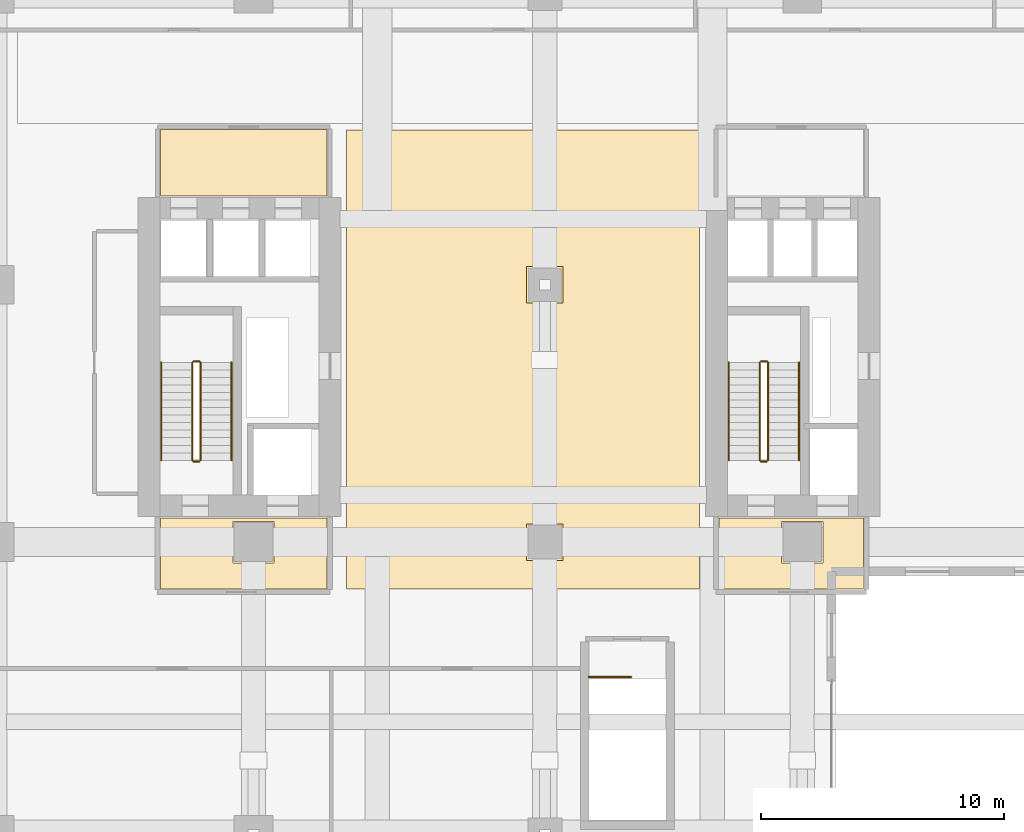
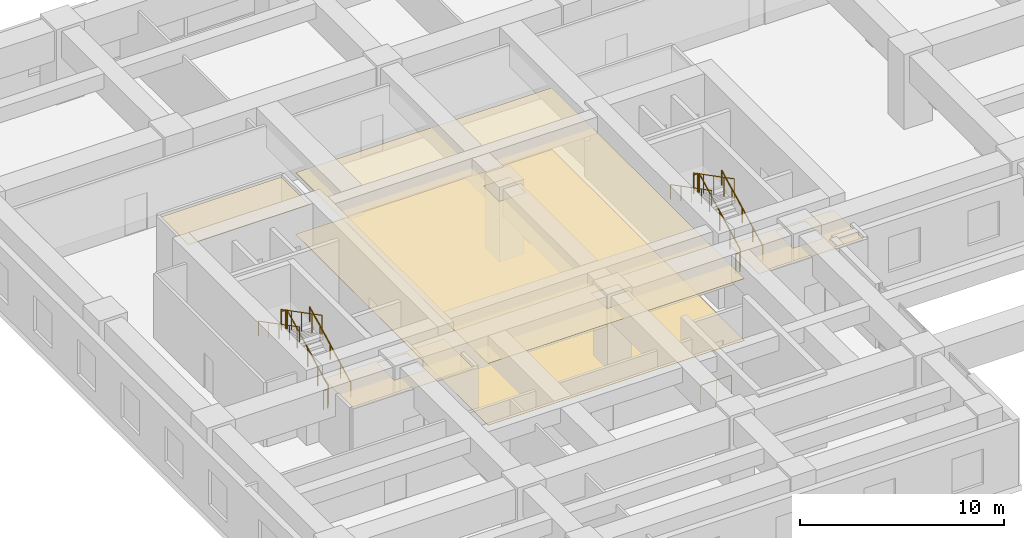
# One storey, part 30 of 33: 13 railings, 5 coverings.
"""IFC4 building model written with IfcOpenShell, lengths in metres."""

from ifc_helpers import new_model, si_unit, direction, frame, origin, origin_2d, place, context, subcontext, project, spatial, polyline, circle, outline, extrude, material, layer, layer_set, type_object, element, save


model = new_model("IFC4")

# Units and contexts
model_context = context("Model", 3, precision=1e-05, world=origin(), true_north=direction((0.0, 1.0)))
body_context = subcontext(model_context, "Body", "Model", "MODEL_VIEW")
ifc_project = project(units=[si_unit("LENGTHUNIT", "METRE"), si_unit("AREAUNIT", "SQUARE_METRE"), si_unit("VOLUMEUNIT", "CUBIC_METRE"), si_unit("PLANEANGLEUNIT", "RADIAN"), si_unit("MASSUNIT", "GRAM", prefix="KILO")], contexts=[model_context])

# Site, building, storey
site_placement = place(None, origin())
site = spatial("IfcSite", under=ifc_project, at=site_placement, CompositionType="ELEMENT")
building_placement = place(site_placement, origin())
building = spatial("IfcBuilding", under=site, at=building_placement, Name="Khoralis Quay Care Tower", CompositionType="ELEMENT")
storey_placement = place(building_placement, frame((0.0, 0.0, 18.0)))
storey = spatial("IfcBuildingStorey", under=building, at=storey_placement, Name="L04", CompositionType="ELEMENT", Elevation=18.0)

# Coverings
ifc_material_1 = material(Name="Mineral-fibre acoustic ceiling tile")
ifc_layer_1 = layer(ifc_material_1, 0.01806640625)
ifc_layer_set_1 = layer_set([ifc_layer_1], Name="Mineral-fibre acoustic ceiling tile")
covering_type_1 = type_object("IfcCoveringType", Name="COV-CEIL-AC18", PredefinedType="CEILING", material=ifc_layer_set_1)
covering_1_placement = place(storey_placement, frame((0.0, 0.0, 3.701904296875)))
element("IfcCovering", 1, at=covering_1_placement, inside=storey, type_object=covering_type_1, Name="Suspended Acoustic Ceiling SP-L04-FFLOB-W", PredefinedType="CEILING", context=body_context, shape_type="SweptSolid", body=[
    extrude(outline(polyline([(8.179931640625, 11.47998046875), (15.02001953125, 11.47998046875), (15.02001953125, 14.39990234375), (8.179931640625, 14.39990234375), (8.179931640625, 11.47998046875)]), holes=[polyline([(11.14990234375, 12.550048828125), (12.85009765625, 12.550048828125), (12.85009765625, 14.25), (11.14990234375, 14.25), (11.14990234375, 12.550048828125)])]), origin(), (0.0, 0.0, 1.0), 0.01806640625),
])
covering_2_placement = place(storey_placement, frame((0.0, 0.0, 3.701904296875)))
element("IfcCovering", 2, at=covering_2_placement, inside=storey, type_object=covering_type_1, Name="Suspended Acoustic Ceiling SP-L04-FFLOB-E", PredefinedType="CEILING", context=body_context, shape_type="SweptSolid", body=[
    extrude(outline(polyline([(31.179931640625, 11.47998046875), (37.1201171875, 11.47998046875), (37.1201171875, 14.39990234375), (31.179931640625, 14.39990234375), (31.179931640625, 11.47998046875)]), holes=[polyline([(33.75, 12.550048828125), (35.449951171875, 12.550048828125), (35.449951171875, 14.25), (33.75, 14.25), (33.75, 12.550048828125)])]), origin(), (0.0, 0.0, 1.0), 0.01806640625),
])
covering_3_placement = place(storey_placement, frame((0.0, 0.0, 3.701904296875)))
element("IfcCovering", 3, at=covering_3_placement, inside=storey, type_object=covering_type_1, Name="Suspended Acoustic Ceiling SP-L04-LLOB-W", PredefinedType="CEILING", context=body_context, shape_type="SweptSolid", body=[
    extrude(outline(polyline([(8.179931640625, 27.64990234375), (15.02001953125, 27.64990234375), (15.02001953125, 30.389892578125), (8.179931640625, 30.389892578125), (8.179931640625, 27.64990234375)])), origin(), (0.0, 0.0, 1.0), 0.01806640625),
])
covering_4_placement = place(storey_placement, frame((0.0, 0.0, 3.701904296875)))
element("IfcCovering", 4, at=covering_4_placement, inside=storey, type_object=covering_type_1, Name="Suspended Acoustic Ceiling SP-L04-PCORR-C", PredefinedType="CEILING", context=body_context, shape_type="SweptSolid", body=[
    extrude(outline(polyline([(15.830078125, 11.47998046875), (30.3701171875, 11.47998046875), (30.3701171875, 30.3701171875), (15.830078125, 30.3701171875), (15.830078125, 11.47998046875)]), holes=[polyline([(23.25, 12.64990234375), (24.75, 12.64990234375), (24.75, 14.14990234375), (23.25, 14.14990234375), (23.25, 12.64990234375)]), polyline([(23.25, 23.25), (24.75, 23.25), (24.75, 24.75), (23.25, 24.75), (23.25, 23.25)])]), origin(), (0.0, 0.0, 1.0), 0.01806640625),
])
ifc_material_2 = material(Name="Porcelain and non-slip vinyl flooring")
ifc_layer_2 = layer(ifc_material_2, 0.02001953125)
ifc_layer_set_2 = layer_set([ifc_layer_2], Name="Porcelain and non-slip vinyl flooring")
covering_type_2 = type_object("IfcCoveringType", Name="COV-FLOOR-20", PredefinedType="FLOORING", material=ifc_layer_set_2)
covering_5_placement = place(storey_placement, origin())
element("IfcCovering", 5, at=covering_5_placement, inside=storey, type_object=covering_type_2, Name="Resilient Healthcare Flooring SP-L04-PCORR-C", PredefinedType="FLOORING", context=body_context, shape_type="SweptSolid", body=[
    extrude(outline(polyline([(15.830078125, 11.47998046875), (30.3701171875, 11.47998046875), (30.3701171875, 30.3701171875), (15.830078125, 30.3701171875), (15.830078125, 11.47998046875)])), origin(), (0.0, 0.0, 1.0), 0.02001953125),
])

# Railings
ifc_material_3 = material(Name="Brushed stainless steel", Category="steel")
railing_type_1 = type_object("IfcRailingType", Name="RL-GUARD-1150", PredefinedType="GUARDRAIL", material=ifc_material_3)
railing_1_placement = place(storey_placement, frame((9.820068359375, 16.77001953125, 0.16064453125)))
element("IfcRailing", 6, at=railing_1_placement, inside=storey, type_object=railing_type_1, Name="L04 ST-T1 stair guard 1", PredefinedType="GUARDRAIL", context=body_context, shape_type="SweptSolid", body=[
    extrude(circle(Radius=0.02392578125, at=origin_2d()), frame((0.0, 0.0, 1.1259765625), z_axis=(0.0, 0.887780577991, 0.46026692836), x_axis=(-1.0, 0.0, 0.0)), (0.0, 0.0, 1.0), 4.53955078125),
    extrude(circle(Radius=0.02099609375, at=origin_2d()), origin(), (0.0, 0.0, 1.0), 1.101806640625),
    extrude(circle(Radius=0.02099609375, at=origin_2d()), frame((0.0, 1.007568359375, 0.5224609375)), (0.0, 0.0, 1.0), 1.101806640625),
    extrude(circle(Radius=0.02099609375, at=origin_2d()), frame((0.0, 2.01513671875, 1.044677734375)), (0.0, 0.0, 1.0), 1.101806640625),
    extrude(circle(Radius=0.02099609375, at=origin_2d()), frame((0.0, 3.0224609375, 1.56689453125)), (0.0, 0.0, 1.0), 1.101806640625),
    extrude(circle(Radius=0.02099609375, at=origin_2d()), frame((0.0, 4.030029296875, 2.08935546875)), (0.0, 0.0, 1.0), 1.101806640625),
])
railing_2_placement = place(storey_placement, frame((9.77001953125, 20.85009765625, 2.25)))
element("IfcRailing", 7, at=railing_2_placement, inside=storey, type_object=railing_type_1, Name="L04 ST-T1 stair guard 2", PredefinedType="GUARDRAIL", context=body_context, shape_type="SweptSolid", body=[
    extrude(circle(Radius=0.02392578125, at=origin_2d()), frame((0.0, 0.0, 1.1259765625), z_axis=(-1.0, 0.0, 0.0), x_axis=(0.0, -1.0, 0.0)), (0.0, 0.0, 1.0), 0.239990234375),
    extrude(circle(Radius=0.02099609375, at=origin_2d()), origin(), (0.0, 0.0, 1.0), 1.101806640625),
    extrude(circle(Radius=0.02099609375, at=origin_2d()), frame((-0.239990234375, 0.0, 0.0)), (0.0, 0.0, 1.0), 1.101806640625),
])
railing_3_placement = place(storey_placement, frame((9.47998046875, 20.800048828125, 2.41064453125)))
element("IfcRailing", 8, at=railing_3_placement, inside=storey, type_object=railing_type_1, Name="L04 ST-T1 stair guard 3", PredefinedType="GUARDRAIL", context=body_context, shape_type="SweptSolid", body=[
    extrude(circle(Radius=0.02392578125, at=origin_2d()), frame((0.0, 0.0, 1.1259765625), z_axis=(0.0, -0.887780577991, 0.46026692836), x_axis=(1.0, 0.0, 0.0)), (0.0, 0.0, 1.0), 4.53955078125),
    extrude(circle(Radius=0.02099609375, at=origin_2d()), origin(), (0.0, 0.0, 1.0), 1.101806640625),
    extrude(circle(Radius=0.02099609375, at=origin_2d()), frame((0.0, -1.007568359375, 0.5224609375)), (0.0, 0.0, 1.0), 1.101806640625),
    extrude(circle(Radius=0.02099609375, at=origin_2d()), frame((0.0, -2.01513671875, 1.044677734375)), (0.0, 0.0, 1.0), 1.101806640625),
    extrude(circle(Radius=0.02099609375, at=origin_2d()), frame((0.0, -3.0224609375, 1.56689453125)), (0.0, 0.0, 1.0), 1.101806640625),
    extrude(circle(Radius=0.02099609375, at=origin_2d()), frame((0.0, -4.030029296875, 2.08935546875)), (0.0, 0.0, 1.0), 1.101806640625),
])
railing_4_placement = place(storey_placement, frame((9.77001953125, 16.719970703125, 0.0)))
element("IfcRailing", 9, at=railing_4_placement, inside=storey, type_object=railing_type_1, Name="L04 ST-T1 stair guard 4", PredefinedType="GUARDRAIL", context=body_context, shape_type="SweptSolid", body=[
    extrude(circle(Radius=0.02392578125, at=origin_2d()), frame((0.0, 0.0, 1.1259765625), z_axis=(-1.0, 0.0, 0.0), x_axis=(0.0, -1.0, 0.0)), (0.0, 0.0, 1.0), 0.239990234375),
    extrude(circle(Radius=0.02099609375, at=origin_2d()), origin(), (0.0, 0.0, 1.0), 1.101806640625),
    extrude(circle(Radius=0.02099609375, at=origin_2d()), frame((-0.239990234375, 0.0, 0.0)), (0.0, 0.0, 1.0), 1.101806640625),
])
railing_5_placement = place(storey_placement, frame((33.18994140625, 16.77001953125, 0.16064453125)))
element("IfcRailing", 10, at=railing_5_placement, inside=storey, type_object=railing_type_1, Name="L04 ST-T2 stair guard 1", PredefinedType="GUARDRAIL", context=body_context, shape_type="SweptSolid", body=[
    extrude(circle(Radius=0.02392578125, at=origin_2d()), frame((0.0, 0.0, 1.1259765625), z_axis=(0.0, 0.887780577991, 0.46026692836), x_axis=(-1.0, 0.0, 0.0)), (0.0, 0.0, 1.0), 4.53955078125),
    extrude(circle(Radius=0.02099609375, at=origin_2d()), origin(), (0.0, 0.0, 1.0), 1.101806640625),
    extrude(circle(Radius=0.02099609375, at=origin_2d()), frame((0.0, 1.007568359375, 0.5224609375)), (0.0, 0.0, 1.0), 1.101806640625),
    extrude(circle(Radius=0.02099609375, at=origin_2d()), frame((0.0, 2.01513671875, 1.044677734375)), (0.0, 0.0, 1.0), 1.101806640625),
    extrude(circle(Radius=0.02099609375, at=origin_2d()), frame((0.0, 3.0224609375, 1.56689453125)), (0.0, 0.0, 1.0), 1.101806640625),
    extrude(circle(Radius=0.02099609375, at=origin_2d()), frame((0.0, 4.030029296875, 2.08935546875)), (0.0, 0.0, 1.0), 1.101806640625),
])
railing_6_placement = place(storey_placement, frame((33.139892578125, 20.85009765625, 2.25)))
element("IfcRailing", 11, at=railing_6_placement, inside=storey, type_object=railing_type_1, Name="L04 ST-T2 stair guard 2", PredefinedType="GUARDRAIL", context=body_context, shape_type="SweptSolid", body=[
    extrude(circle(Radius=0.02392578125, at=origin_2d()), frame((0.0, 0.0, 1.1259765625), z_axis=(-1.0, 0.0, 0.0), x_axis=(0.0, -1.0, 0.0)), (0.0, 0.0, 1.0), 0.239990234375),
    extrude(circle(Radius=0.02099609375, at=origin_2d()), origin(), (0.0, 0.0, 1.0), 1.101806640625),
    extrude(circle(Radius=0.02099609375, at=origin_2d()), frame((-0.239990234375, 0.0, 0.0)), (0.0, 0.0, 1.0), 1.101806640625),
])
railing_7_placement = place(storey_placement, frame((32.85009765625, 20.800048828125, 2.41064453125)))
element("IfcRailing", 12, at=railing_7_placement, inside=storey, type_object=railing_type_1, Name="L04 ST-T2 stair guard 3", PredefinedType="GUARDRAIL", context=body_context, shape_type="SweptSolid", body=[
    extrude(circle(Radius=0.02392578125, at=origin_2d()), frame((0.0, 0.0, 1.1259765625), z_axis=(0.0, -0.887780577991, 0.46026692836), x_axis=(1.0, 0.0, 0.0)), (0.0, 0.0, 1.0), 4.53955078125),
    extrude(circle(Radius=0.02099609375, at=origin_2d()), origin(), (0.0, 0.0, 1.0), 1.101806640625),
    extrude(circle(Radius=0.02099609375, at=origin_2d()), frame((0.0, -1.007568359375, 0.5224609375)), (0.0, 0.0, 1.0), 1.101806640625),
    extrude(circle(Radius=0.02099609375, at=origin_2d()), frame((0.0, -2.01513671875, 1.044677734375)), (0.0, 0.0, 1.0), 1.101806640625),
    extrude(circle(Radius=0.02099609375, at=origin_2d()), frame((0.0, -3.0224609375, 1.56689453125)), (0.0, 0.0, 1.0), 1.101806640625),
    extrude(circle(Radius=0.02099609375, at=origin_2d()), frame((0.0, -4.030029296875, 2.08935546875)), (0.0, 0.0, 1.0), 1.101806640625),
])
railing_8_placement = place(storey_placement, frame((33.139892578125, 16.719970703125, 0.0)))
element("IfcRailing", 13, at=railing_8_placement, inside=storey, type_object=railing_type_1, Name="L04 ST-T2 stair guard 4", PredefinedType="GUARDRAIL", context=body_context, shape_type="SweptSolid", body=[
    extrude(circle(Radius=0.02392578125, at=origin_2d()), frame((0.0, 0.0, 1.1259765625), z_axis=(-1.0, 0.0, 0.0), x_axis=(0.0, -1.0, 0.0)), (0.0, 0.0, 1.0), 0.239990234375),
    extrude(circle(Radius=0.02099609375, at=origin_2d()), origin(), (0.0, 0.0, 1.0), 1.101806640625),
    extrude(circle(Radius=0.02099609375, at=origin_2d()), frame((-0.239990234375, 0.0, 0.0)), (0.0, 0.0, 1.0), 1.101806640625),
])
railing_9_placement = place(storey_placement, frame((25.800048828125, 7.85009765625, 0.0)))
element("IfcRailing", 14, at=railing_9_placement, inside=storey, type_object=railing_type_1, Name="L04 ST-P1 top well guard 1", PredefinedType="GUARDRAIL", context=body_context, shape_type="SweptSolid", body=[
    extrude(circle(Radius=0.02392578125, at=origin_2d()), frame((0.0, 0.0, 1.1259765625), z_axis=(1.0, 0.0, 0.0), x_axis=(0.0, 1.0, 0.0)), (0.0, 0.0, 1.0), 1.75),
    extrude(circle(Radius=0.02099609375, at=origin_2d()), origin(), (0.0, 0.0, 1.0), 1.101806640625),
    extrude(circle(Radius=0.02099609375, at=origin_2d()), frame((0.875, 0.0, 0.0)), (0.0, 0.0, 1.0), 1.101806640625),
    extrude(circle(Radius=0.02099609375, at=origin_2d()), frame((1.75, 0.0, 0.0)), (0.0, 0.0, 1.0), 1.101806640625),
])
railing_type_2 = type_object("IfcRailingType", Name="RL-HAND-900", PredefinedType="HANDRAIL", material=ifc_material_3)
railing_10_placement = place(storey_placement, frame((11.10009765625, 16.77001953125, 0.16064453125)))
element("IfcRailing", 15, at=railing_10_placement, inside=storey, type_object=railing_type_2, Name="L04 ST-T1 stair handrail 1", PredefinedType="HANDRAIL", context=body_context, shape_type="SweptSolid", body=[
    extrude(circle(Radius=0.02392578125, at=origin_2d()), frame((0.0, 0.0, 0.8759765625), z_axis=(0.0, 0.887780577991, 0.46026692836), x_axis=(-1.0, 0.0, 0.0)), (0.0, 0.0, 1.0), 4.53955078125),
    extrude(circle(Radius=0.02099609375, at=origin_2d()), origin(), (0.0, 0.0, 1.0), 0.851806640625),
    extrude(circle(Radius=0.02099609375, at=origin_2d()), frame((0.0, 1.007568359375, 0.5224609375)), (0.0, 0.0, 1.0), 0.851806640625),
    extrude(circle(Radius=0.02099609375, at=origin_2d()), frame((0.0, 2.01513671875, 1.044677734375)), (0.0, 0.0, 1.0), 0.851806640625),
    extrude(circle(Radius=0.02099609375, at=origin_2d()), frame((0.0, 3.0224609375, 1.56689453125)), (0.0, 0.0, 1.0), 0.851806640625),
    extrude(circle(Radius=0.02099609375, at=origin_2d()), frame((0.0, 4.030029296875, 2.08935546875)), (0.0, 0.0, 1.0), 0.851806640625),
])
railing_11_placement = place(storey_placement, frame((8.199951171875, 20.800048828125, 2.41064453125)))
element("IfcRailing", 16, at=railing_11_placement, inside=storey, type_object=railing_type_2, Name="L04 ST-T1 stair handrail 2", PredefinedType="HANDRAIL", context=body_context, shape_type="SweptSolid", body=[
    extrude(circle(Radius=0.02392578125, at=origin_2d()), frame((0.0, 0.0, 0.8759765625), z_axis=(0.0, -0.887780577991, 0.46026692836), x_axis=(1.0, 0.0, 0.0)), (0.0, 0.0, 1.0), 4.53955078125),
    extrude(circle(Radius=0.02099609375, at=origin_2d()), origin(), (0.0, 0.0, 1.0), 0.851806640625),
    extrude(circle(Radius=0.02099609375, at=origin_2d()), frame((0.0, -1.007568359375, 0.5224609375)), (0.0, 0.0, 1.0), 0.851806640625),
    extrude(circle(Radius=0.02099609375, at=origin_2d()), frame((0.0, -2.01513671875, 1.044677734375)), (0.0, 0.0, 1.0), 0.851806640625),
    extrude(circle(Radius=0.02099609375, at=origin_2d()), frame((0.0, -3.0224609375, 1.56689453125)), (0.0, 0.0, 1.0), 0.851806640625),
    extrude(circle(Radius=0.02099609375, at=origin_2d()), frame((0.0, -4.030029296875, 2.08935546875)), (0.0, 0.0, 1.0), 0.851806640625),
])
railing_12_placement = place(storey_placement, frame((34.469970703125, 16.77001953125, 0.16064453125)))
element("IfcRailing", 17, at=railing_12_placement, inside=storey, type_object=railing_type_2, Name="L04 ST-T2 stair handrail 1", PredefinedType="HANDRAIL", context=body_context, shape_type="SweptSolid", body=[
    extrude(circle(Radius=0.02392578125, at=origin_2d()), frame((0.0, 0.0, 0.8759765625), z_axis=(0.0, 0.887780577991, 0.46026692836), x_axis=(-1.0, 0.0, 0.0)), (0.0, 0.0, 1.0), 4.53955078125),
    extrude(circle(Radius=0.02099609375, at=origin_2d()), origin(), (0.0, 0.0, 1.0), 0.851806640625),
    extrude(circle(Radius=0.02099609375, at=origin_2d()), frame((0.0, 1.007568359375, 0.5224609375)), (0.0, 0.0, 1.0), 0.851806640625),
    extrude(circle(Radius=0.02099609375, at=origin_2d()), frame((0.0, 2.01513671875, 1.044677734375)), (0.0, 0.0, 1.0), 0.851806640625),
    extrude(circle(Radius=0.02099609375, at=origin_2d()), frame((0.0, 3.0224609375, 1.56689453125)), (0.0, 0.0, 1.0), 0.851806640625),
    extrude(circle(Radius=0.02099609375, at=origin_2d()), frame((0.0, 4.030029296875, 2.08935546875)), (0.0, 0.0, 1.0), 0.851806640625),
])
railing_13_placement = place(storey_placement, frame((31.570068359375, 20.800048828125, 2.41064453125)))
element("IfcRailing", 18, at=railing_13_placement, inside=storey, type_object=railing_type_2, Name="L04 ST-T2 stair handrail 2", PredefinedType="HANDRAIL", context=body_context, shape_type="SweptSolid", body=[
    extrude(circle(Radius=0.02392578125, at=origin_2d()), frame((0.0, 0.0, 0.8759765625), z_axis=(0.0, -0.887780577991, 0.46026692836), x_axis=(1.0, 0.0, 0.0)), (0.0, 0.0, 1.0), 4.53955078125),
    extrude(circle(Radius=0.02099609375, at=origin_2d()), origin(), (0.0, 0.0, 1.0), 0.851806640625),
    extrude(circle(Radius=0.02099609375, at=origin_2d()), frame((0.0, -1.007568359375, 0.5224609375)), (0.0, 0.0, 1.0), 0.851806640625),
    extrude(circle(Radius=0.02099609375, at=origin_2d()), frame((0.0, -2.01513671875, 1.044677734375)), (0.0, 0.0, 1.0), 0.851806640625),
    extrude(circle(Radius=0.02099609375, at=origin_2d()), frame((0.0, -3.0224609375, 1.56689453125)), (0.0, 0.0, 1.0), 0.851806640625),
    extrude(circle(Radius=0.02099609375, at=origin_2d()), frame((0.0, -4.030029296875, 2.08935546875)), (0.0, 0.0, 1.0), 0.851806640625),
])

save(model, "model.ifc")
